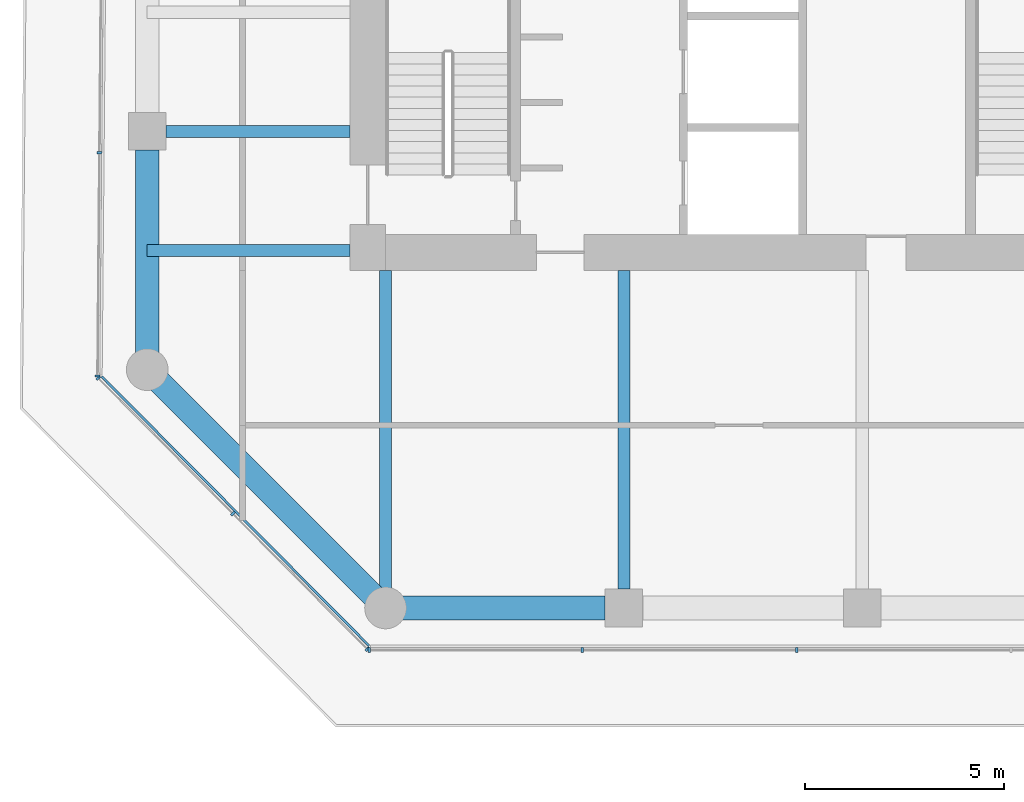
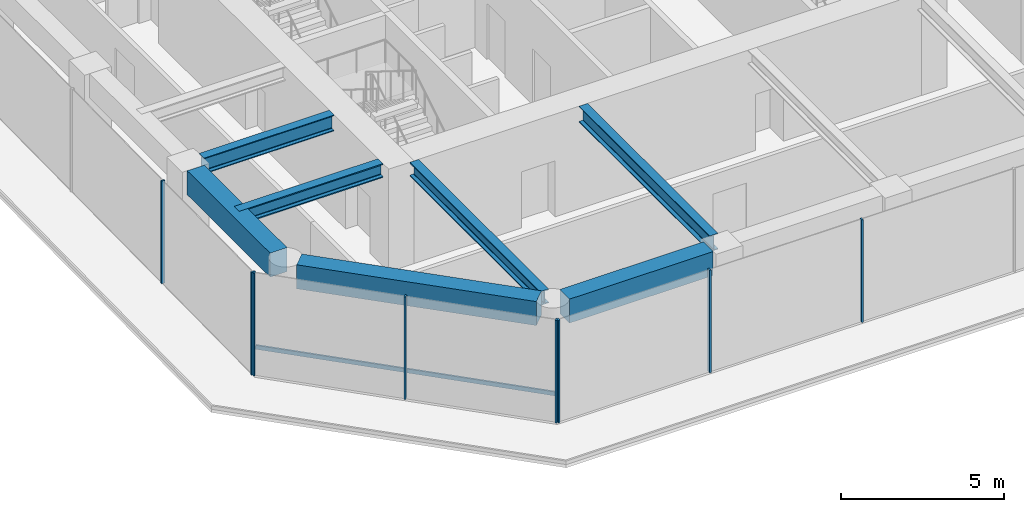
# One storey, part 2 of 29: 9 members, 7 beams, 3 elements without a shape of their own.
"""IFC4 building model written with IfcOpenShell, lengths in metres."""

from ifc_helpers import new_model, si_unit, direction, frame, origin, origin_2d, place, context, subcontext, project, spatial, rectangle, i_section, extrude, material, layer, layer_set, material_profile, profile_set, type_object, element, aggregate, save


model = new_model("IFC4")

# Units and contexts
model_context = context("Model", 3, precision=1e-05, world=origin(), true_north=direction((0.0, 1.0)))
body_context = subcontext(model_context, "Body", "Model", "MODEL_VIEW")
ifc_project = project(units=[si_unit("LENGTHUNIT", "METRE"), si_unit("AREAUNIT", "SQUARE_METRE"), si_unit("VOLUMEUNIT", "CUBIC_METRE"), si_unit("PLANEANGLEUNIT", "RADIAN"), si_unit("MASSUNIT", "GRAM", prefix="KILO")], contexts=[model_context])

# Site, building, storey
site_placement = place(None, origin())
site = spatial("IfcSite", under=ifc_project, at=site_placement, CompositionType="ELEMENT")
building_placement = place(site_placement, origin())
building = spatial("IfcBuilding", under=site, at=building_placement, Name="Welwitschia Terrace Campus", CompositionType="ELEMENT")
storey_placement = place(building_placement, frame((0.0, 0.0, 50.0)))
storey = spatial("IfcBuildingStorey", under=building, at=storey_placement, Name="L11", CompositionType="ELEMENT", Elevation=50.0)

# Beams
ifc_material_1 = material(Name="Steel S355", Category="steel")
ifc_material_profile_1 = material_profile(ifc_material_1, i_section(OverallWidth=0.305908203125, OverallDepth=0.52392578125, WebThickness=0.02099609375, FlangeThickness=0.0400390625, FilletRadius=0.027099609375, at=origin_2d()))
ifc_profile_set_1 = profile_set([ifc_material_profile_1], Name="Steel S355")
beam_type_1 = type_object("IfcBeamType", Name="Interior girder HE 500 M", PredefinedType="BEAM", material=ifc_profile_set_1)
beam_1_placement = place(storey_placement, frame((-0.010009765625, 5.0, 3.587890625), z_axis=(1.0, 0.0, 0.0), x_axis=(0.0, 1.0, 0.0)))
element("IfcBeam", 1, at=beam_1_placement, inside=storey, type_object=beam_type_1, Name="Girder GB2", PredefinedType="BEAM", context=body_context, shape_type="SweptSolid", body=[
    extrude(i_section(OverallWidth=0.305908203125, OverallDepth=0.52392578125, WebThickness=0.02099609375, FlangeThickness=0.0400390625, FilletRadius=0.027099609375, at=origin_2d()), origin(), (0.0, 0.0, 1.0), 5.109130859375),
])
beam_2_placement = place(storey_placement, frame((6.0, -3.507080078125, 3.587890625), z_axis=(0.0, 1.0, 0.0), x_axis=(-1.0, 0.0, 0.0)))
element("IfcBeam", 2, at=beam_2_placement, inside=storey, type_object=beam_type_1, Name="Girder GB2", PredefinedType="BEAM", context=body_context, shape_type="SweptSolid", body=[
    extrude(i_section(OverallWidth=0.305908203125, OverallDepth=0.52392578125, WebThickness=0.02099609375, FlangeThickness=0.0400390625, FilletRadius=0.027099609375, at=origin_2d()), origin(), (0.0, 0.0, 1.0), 8.006103515625),
])

# Curtain wall, members
ifc_material_2 = material(Name="Bronze anodised aluminium", Category="aluminium")
ifc_layer = layer(ifc_material_2, 0.1201171875)
ifc_layer_set = layer_set([ifc_layer], Name="Bronze anodised aluminium")
curtain_wall_type = type_object("IfcCurtainWallType", Name="Curtain wall CW2 tower 6000", PredefinedType="NOTDEFINED", material=ifc_layer_set)
curtain_wall_1_placement = place(storey_placement, origin())
curtain_wall_1 = element("IfcCurtainWall", 3, at=curtain_wall_1_placement, inside=storey, type_object=curtain_wall_type, Name="CW L11.0.0", PredefinedType="NOTDEFINED")
ifc_material_3 = material(Name="Bronze anodised aluminium", Category="aluminium")
ifc_material_profile_2 = material_profile(ifc_material_3, rectangle(XDim=0.1201171875, YDim=0.06005859375, at=origin_2d()))
ifc_profile_set_2 = profile_set([ifc_material_profile_2], Name="Bronze anodised aluminium")
member_type_1 = type_object("IfcMemberType", Name="Mullion 60x120", PredefinedType="MULLION", material=ifc_profile_set_2)
member_1_placement = place(storey_placement, frame((-1.234130859375, 1.788330078125, 0.0), z_axis=(0.0, 0.0, 1.0), x_axis=(0.709726532998, 0.704477287326, 0.0)))
member_1 = element("IfcMember", 4, at=member_1_placement, type_object=member_type_1, Name="Mullion L11.0.0.0", PredefinedType="MULLION", context=body_context, shape_type="SweptSolid", body=[
    extrude(rectangle(XDim=0.1201171875, YDim=0.06005859375, at=origin_2d()), origin(), (0.0, 0.0, 1.0), 3.85009765625),
])
member_2_placement = place(storey_placement, frame((2.1533203125, -1.624267578125, 0.0), z_axis=(0.0, 0.0, 1.0), x_axis=(0.709726532998, 0.704477287326, 0.0)))
member_2 = element("IfcMember", 5, at=member_2_placement, type_object=member_type_1, Name="Mullion L11.0.0.1", PredefinedType="MULLION", context=body_context, shape_type="SweptSolid", body=[
    extrude(rectangle(XDim=0.1201171875, YDim=0.06005859375, at=origin_2d()), origin(), (0.0, 0.0, 1.0), 3.85009765625),
])
member_3_placement = place(storey_placement, frame((5.54052734375, -5.03662109375, 0.0), z_axis=(0.0, 0.0, 1.0), x_axis=(0.709726532998, 0.704477287326, 0.0)))
member_3 = element("IfcMember", 6, at=member_3_placement, type_object=member_type_1, Name="Mullion L11.0.0.2", PredefinedType="MULLION", context=body_context, shape_type="SweptSolid", body=[
    extrude(rectangle(XDim=0.1201171875, YDim=0.06005859375, at=origin_2d()), origin(), (0.0, 0.0, 1.0), 3.85009765625),
])

curtain_wall_2_placement = place(storey_placement, origin())
curtain_wall_2 = element("IfcCurtainWall", 7, at=curtain_wall_2_placement, inside=storey, type_object=curtain_wall_type, Name="CW L11.1.0", PredefinedType="NOTDEFINED")
member_4_placement = place(storey_placement, frame((5.591552734375, -5.05810546875, 0.0), z_axis=(0.0, 0.0, 1.0), x_axis=(0.0, 1.0, 0.0)))
member_4 = element("IfcMember", 8, at=member_4_placement, type_object=member_type_1, Name="Mullion L11.1.0.0", PredefinedType="MULLION", context=body_context, shape_type="SweptSolid", body=[
    extrude(rectangle(XDim=0.1201171875, YDim=0.06005859375, at=origin_2d()), origin(), (0.0, 0.0, 1.0), 3.85009765625),
])
member_5_placement = place(storey_placement, frame((10.956298828125, -5.05810546875, 0.0), z_axis=(0.0, 0.0, 1.0), x_axis=(0.0, 1.0, 0.0)))
member_5 = element("IfcMember", 9, at=member_5_placement, type_object=member_type_1, Name="Mullion L11.1.0.1", PredefinedType="MULLION", context=body_context, shape_type="SweptSolid", body=[
    extrude(rectangle(XDim=0.1201171875, YDim=0.06005859375, at=origin_2d()), origin(), (0.0, 0.0, 1.0), 3.85009765625),
])
member_6_placement = place(storey_placement, frame((16.35107421875, -5.05810546875, 0.0), z_axis=(0.0, 0.0, 1.0), x_axis=(0.0, 1.0, 0.0)))
member_6 = element("IfcMember", 10, at=member_6_placement, type_object=member_type_1, Name="Mullion L11.1.0.2", PredefinedType="MULLION", context=body_context, shape_type="SweptSolid", body=[
    extrude(rectangle(XDim=0.1201171875, YDim=0.06005859375, at=origin_2d()), origin(), (0.0, 0.0, 1.0), 3.85009765625),
])
aggregate(curtain_wall_2, [member_4, member_5, member_6])

curtain_wall_3_placement = place(storey_placement, origin())
curtain_wall_3 = element("IfcCurtainWall", 11, at=curtain_wall_3_placement, inside=storey, type_object=curtain_wall_type, Name="CW L11.11.0", PredefinedType="NOTDEFINED")
member_7_placement = place(storey_placement, frame((-1.205810546875, 7.45947265625, 0.0), z_axis=(0.0, 0.0, 1.0), x_axis=(0.999961923064, -0.008726535498, 0.0)))
member_7 = element("IfcMember", 12, at=member_7_placement, type_object=member_type_1, Name="Mullion L11.11.0.3", PredefinedType="MULLION", context=body_context, shape_type="SweptSolid", body=[
    extrude(rectangle(XDim=0.1201171875, YDim=0.06005859375, at=origin_2d()), origin(), (0.0, 0.0, 1.0), 3.85009765625),
])
member_8_placement = place(storey_placement, frame((-1.2548828125, 1.839599609375, 0.0), z_axis=(0.0, 0.0, 1.0), x_axis=(0.999961923064, -0.008726535498, 0.0)))
member_8 = element("IfcMember", 13, at=member_8_placement, type_object=member_type_1, Name="Mullion L11.11.0.4", PredefinedType="MULLION", context=body_context, shape_type="SweptSolid", body=[
    extrude(rectangle(XDim=0.1201171875, YDim=0.06005859375, at=origin_2d()), origin(), (0.0, 0.0, 1.0), 3.85009765625),
])
aggregate(curtain_wall_3, [member_7, member_8])

# Beams
ifc_material_4 = material(Name="Steel S355", Category="steel")
ifc_material_profile_3 = material_profile(ifc_material_4, i_section(OverallWidth=0.300048828125, OverallDepth=0.60009765625, WebThickness=0.015380859375, FlangeThickness=0.030029296875, FilletRadius=0.027099609375, at=origin_2d()))
ifc_profile_set_3 = profile_set([ifc_material_profile_3], Name="Steel S355")
beam_type_2 = type_object("IfcBeamType", Name="Primary beam HE 600 B", PredefinedType="BEAM", material=ifc_profile_set_3)
beam_3_placement = place(storey_placement, frame((12.0, -3.5244140625, 3.550048828125), z_axis=(0.0, 1.0, 0.0), x_axis=(-1.0, 0.0, 0.0)))
element("IfcBeam", 14, at=beam_3_placement, inside=storey, type_object=beam_type_2, Name="Primary beam PB2", PredefinedType="BEAM", context=body_context, shape_type="SweptSolid", body=[
    extrude(i_section(OverallWidth=0.300048828125, OverallDepth=0.60009765625, WebThickness=0.015380859375, FlangeThickness=0.030029296875, FilletRadius=0.027099609375, at=origin_2d()), origin(), (0.0, 0.0, 1.0), 8.0244140625),
])
beam_4_placement = place(storey_placement, frame((0.4755859375, 8.0, 3.550048828125), z_axis=(1.0, 0.0, 0.0), x_axis=(0.0, 1.0, 0.0)))
element("IfcBeam", 15, at=beam_4_placement, inside=storey, type_object=beam_type_2, Name="Primary beam PB2", PredefinedType="BEAM", context=body_context, shape_type="SweptSolid", body=[
    extrude(i_section(OverallWidth=0.300048828125, OverallDepth=0.60009765625, WebThickness=0.015380859375, FlangeThickness=0.030029296875, FilletRadius=0.027099609375, at=origin_2d()), origin(), (0.0, 0.0, 1.0), 4.62451171875),
])
ifc_material_5 = material(Name="Concrete C60/75", Category="concrete")
ifc_material_profile_4 = material_profile(ifc_material_5, rectangle(XDim=0.60009765625, YDim=0.89990234375, at=origin_2d()))
ifc_profile_set_4 = profile_set([ifc_material_profile_4], Name="Concrete C60/75")
beam_type_3 = type_object("IfcBeamType", Name="Ring spandrel 600x900", PredefinedType="SPANDREL", material=ifc_profile_set_4)
beam_5_placement = place(storey_placement, frame((0.30517578125, 1.69482421875, 3.39990234375), z_axis=(0.707106781187, -0.707106781187, 0.0), x_axis=(0.707106781187, 0.707106781187, 0.0)))
element("IfcBeam", 16, at=beam_5_placement, inside=storey, type_object=beam_type_3, Name="Spandrel SP2", PredefinedType="SPANDREL", context=body_context, shape_type="SweptSolid", body=[
    extrude(rectangle(XDim=0.60009765625, YDim=0.89990234375, at=origin_2d()), origin(), (0.0, 0.0, 1.0), 7.6220703125),
])
for number, where, z_axis, x_axis, name in (
    (17, (6.431396484375, -4.0, 3.39990234375), (1.0, 0.0, 0.0), (0.0, 1.0, 0.0), "Spandrel SP2"),
    (18, (0.0, 7.5244140625, 3.39990234375), (0.0, -1.0, 0.0), (1.0, 0.0, 0.0), "Spandrel SP2"),
):
    element("IfcBeam", number, at=place(storey_placement, frame(where, z_axis=z_axis, x_axis=x_axis)), inside=storey, type_object=beam_type_3, Name=name, PredefinedType="SPANDREL", context=body_context, shape_type="SweptSolid", body=[
        extrude(rectangle(XDim=0.60009765625, YDim=0.89990234375, at=origin_2d()), origin(), (0.0, 0.0, 1.0), 5.093017578125),
    ])

# Member
ifc_material_6 = material(Name="Bronze anodised aluminium", Category="aluminium")
ifc_material_profile_5 = material_profile(ifc_material_6, rectangle(XDim=0.06005859375, YDim=0.14990234375, at=origin_2d()))
ifc_profile_set_5 = profile_set([ifc_material_profile_5], Name="Bronze anodised aluminium")
member_type_2 = type_object("IfcMemberType", Name="Transom 60x150", PredefinedType="USERDEFINED", material=ifc_profile_set_5)
member_9_placement = place(storey_placement, frame((-1.149169921875, 1.83056640625, 1.0), z_axis=(0.70448336774, -0.709720497504, 0.0), x_axis=(0.709720497504, 0.70448336774, 0.0)))
member_9 = element("IfcMember", 19, at=member_9_placement, type_object=member_type_2, Name="Transom L11.0.0", ObjectType="TRANSOM", PredefinedType="USERDEFINED", context=body_context, shape_type="SweptSolid", body=[
    extrude(rectangle(XDim=0.06005859375, YDim=0.14990234375, at=origin_2d()), origin(), (0.0, 0.0, 1.0), 9.556640625),
])

aggregate(curtain_wall_1, [member_1, member_2, member_3, member_9])

save(model, "model.ifc")
